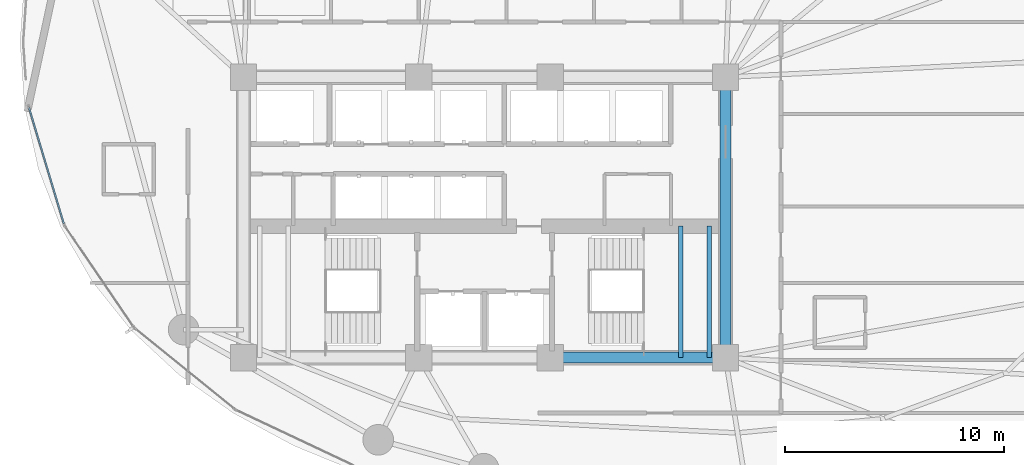
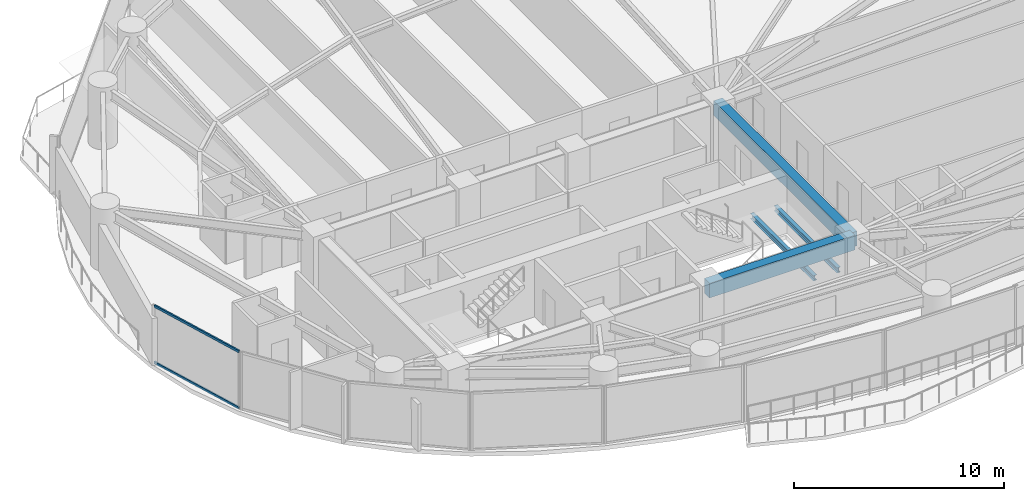
# One storey, part 7 of 31: 4 beams, 2 members, 1 element without a shape of its own.
"""IFC4 building model written with IfcOpenShell, lengths in metres."""

from ifc_helpers import new_model, si_unit, direction, frame, origin, origin_2d, place, context, subcontext, project, spatial, rectangle, hollow_rectangle, i_section, extrude, material, layer, layer_set, material_profile, profile_set, type_object, element, aggregate, save


model = new_model("IFC4")

# Units and contexts
model_context = context("Model", 3, precision=1e-05, world=origin(), true_north=direction((0.0, 1.0)))
body_context = subcontext(model_context, "Body", "Model", "MODEL_VIEW")
ifc_project = project(units=[si_unit("LENGTHUNIT", "METRE"), si_unit("AREAUNIT", "SQUARE_METRE"), si_unit("VOLUMEUNIT", "CUBIC_METRE"), si_unit("PLANEANGLEUNIT", "RADIAN"), si_unit("MASSUNIT", "GRAM", prefix="KILO")], contexts=[model_context])

# Site, building, storey
site_placement = place(None, origin())
site = spatial("IfcSite", under=ifc_project, at=site_placement, CompositionType="ELEMENT")
building_placement = place(site_placement, origin())
building = spatial("IfcBuilding", under=site, at=building_placement, Name="Kazevale Care Tower and Concert Hall", CompositionType="ELEMENT")
storey_placement = place(building_placement, frame((0.0, 0.0, 78.0)))
storey = spatial("IfcBuildingStorey", under=building, at=storey_placement, Name="L20", CompositionType="ELEMENT", Elevation=78.0)

# Curtain wall, members
ifc_material_1 = material(Name="Aluminium 6063-T6 and Low-E Glass", Category="aluminium")
ifc_layer = layer(ifc_material_1, 0.179931640625)
ifc_layer_set = layer_set([ifc_layer], Name="Aluminium 6063-T6 and Low-E Glass")
curtain_wall_type = type_object("IfcCurtainWallType", Name="Waist & Upper Residential Curtain Wall CW-4", PredefinedType="NOTDEFINED", material=ifc_layer_set)
curtain_wall_placement = place(storey_placement, origin())
curtain_wall = element("IfcCurtainWall", 1, at=curtain_wall_placement, inside=storey, type_object=curtain_wall_type, Name="cw:L20:f12", PredefinedType="NOTDEFINED")
ifc_material_2 = material(Name="Aluminium 6063-T6", Category="aluminium")
ifc_material_profile_1 = material_profile(ifc_material_2, hollow_rectangle(XDim=0.080078125, YDim=0.139892578125, WallThickness=0.00390625, at=origin_2d()), Name="ALU80x140x4")
ifc_profile_set_1 = profile_set([ifc_material_profile_1], Name="Aluminium 6063-T6")
member_type = type_object("IfcMemberType", Name="CW-4 Transom ALU80x140x4", PredefinedType="USERDEFINED", material=ifc_profile_set_1)
member_1_placement = place(storey_placement, frame((13.802978515625, 29.715576171875, 0.0400390625), z_axis=(-0.287906465712, 0.957658533613, 0.0), x_axis=(-0.957658533613, -0.287906465712, 0.0)))
member_1 = element("IfcMember", 2, at=member_1_placement, type_object=member_type, Name="CW-4 transom 1.1", ObjectType="TRANSOM", PredefinedType="USERDEFINED", context=body_context, shape_type="SweptSolid", body=[
    extrude(hollow_rectangle(XDim=0.080078125, YDim=0.139892578125, WallThickness=0.00390625, at=origin_2d()), origin(), (0.0, 0.0, 1.0), 5.533203125),
])
member_2_placement = place(storey_placement, frame((13.802978515625, 29.715576171875, 3.320068359375), z_axis=(-0.287906465712, 0.957658533613, 0.0), x_axis=(-0.957658533613, -0.287906465712, 0.0)))
member_2 = element("IfcMember", 3, at=member_2_placement, type_object=member_type, Name="CW-4 transom 1.2", ObjectType="TRANSOM", PredefinedType="USERDEFINED", context=body_context, shape_type="SweptSolid", body=[
    extrude(hollow_rectangle(XDim=0.080078125, YDim=0.139892578125, WallThickness=0.00390625, at=origin_2d()), origin(), (0.0, 0.0, 1.0), 5.533203125),
])
aggregate(curtain_wall, [member_1, member_2])

# Beams
ifc_material_3 = material(Name="Concrete C60", Category="concrete")
ifc_material_profile_2 = material_profile(ifc_material_3, rectangle(XDim=0.5, YDim=0.85009765625, at=origin_2d()), Name="RC-B500x850")
ifc_profile_set_2 = profile_set([ifc_material_profile_2], Name="Concrete C60")
beam_type_1 = type_object("IfcBeamType", Name="Core Coupling Beam RC500x850", PredefinedType="LINTEL", material=ifc_profile_set_2)
beam_1_placement = place(storey_placement, frame((36.0, 23.60009765625, 2.93505859375), z_axis=(1.0, 0.0, 0.0), x_axis=(0.0, 1.0, 0.0)))
element("IfcBeam", 4, at=beam_1_placement, inside=storey, type_object=beam_type_1, Name="beam:L20:coretie:3", PredefinedType="LINTEL", context=body_context, shape_type="SweptSolid", body=[
    extrude(rectangle(XDim=0.5, YDim=0.85009765625, at=origin_2d()), origin(), (0.0, 0.0, 1.0), 8.0),
])
beam_2_placement = place(storey_placement, frame((44.0, 23.60009765625, 2.93505859375), z_axis=(0.0, 1.0, 0.0), x_axis=(-1.0, 0.0, 0.0)))
element("IfcBeam", 5, at=beam_2_placement, inside=storey, type_object=beam_type_1, Name="beam:L20:coretie:4", PredefinedType="LINTEL", context=body_context, shape_type="SweptSolid", body=[
    extrude(rectangle(XDim=0.5, YDim=0.85009765625, at=origin_2d()), origin(), (0.0, 0.0, 1.0), 12.7998046875),
])
ifc_material_4 = material(Name="Steel ASTM A572 Gr 50", Category="steel")
ifc_material_profile_3 = material_profile(ifc_material_4, i_section(OverallWidth=0.202880859375, OverallDepth=0.302978515625, WebThickness=0.007568359375, FlangeThickness=0.01318359375, at=origin_2d()), Name="W310x60")
ifc_profile_set_3 = profile_set([ifc_material_profile_3], Name="Steel ASTM A572 Gr 50")
beam_type_2 = type_object("IfcBeamType", Name="Stair & Balcony Trimmer W310x60", PredefinedType="BEAM", material=ifc_profile_set_3)
for number, where, z_axis, x_axis, name in (
    (6, (41.949951171875, 23.60009765625, 1.448486328125), (0.0, 1.0, 0.0), (-1.0, 0.0, 0.0), "beam:L20:sttrim:ST2"),
    (7, (43.25, 23.60009765625, 1.448486328125), (0.0, 1.0, 0.0), (-1.0, 0.0, 0.0), "beam:L20:sttrim:ST2b"),
):
    element("IfcBeam", number, at=place(storey_placement, frame(where, z_axis=z_axis, x_axis=x_axis)), inside=storey, type_object=beam_type_2, Name=name, PredefinedType="BEAM", context=body_context, shape_type="SweptSolid", body=[
        extrude(i_section(OverallWidth=0.202880859375, OverallDepth=0.302978515625, WebThickness=0.007568359375, FlangeThickness=0.01318359375, at=origin_2d()), origin(), (0.0, 0.0, 1.0), 6.0),
    ])

save(model, "model.ifc")
